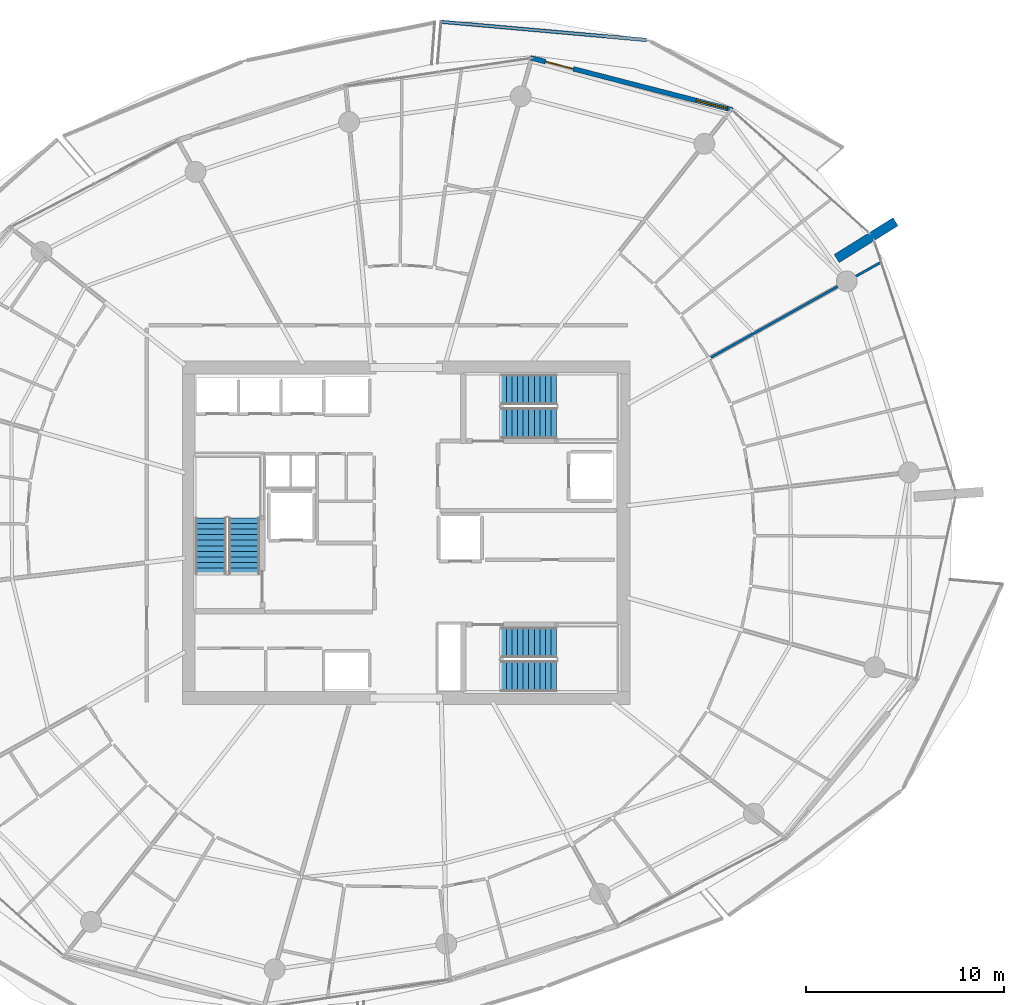
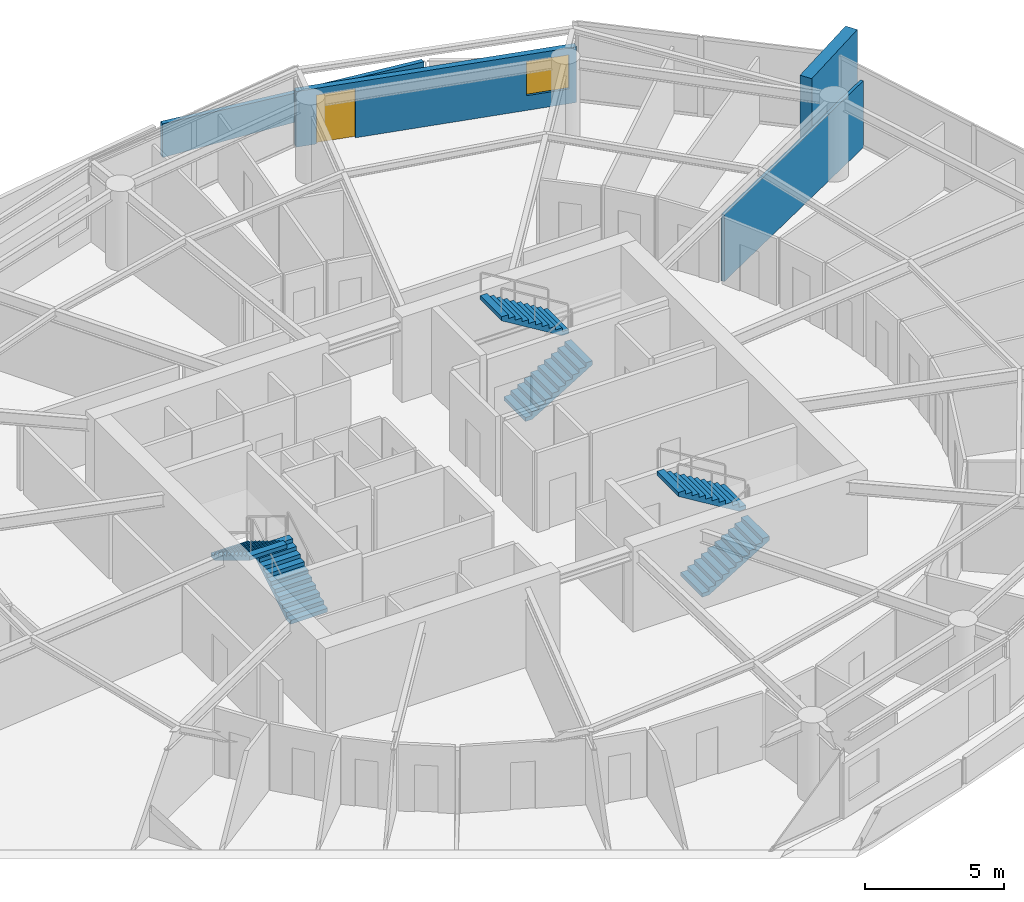
# One storey, part 16 of 21: 6 stair flights, 4 walls, 1 door, 1 window, 2 openings, 3 elements without a shape of their own.
"""IFC4 building model written with IfcOpenShell, lengths in metres."""

from ifc_helpers import new_model, si_unit, direction, frame, frame_2d, origin, place, context, subcontext, project, spatial, polyline, rectangle, outline, extrude, material, layer, layer_set, type_object, element, fill, aggregate, save


model = new_model("IFC4")

# Units and contexts
model_context = context("Model", 3, precision=1e-05, world=origin(), true_north=direction((0.0, 1.0)))
body_context = subcontext(model_context, "Body", "Model", "MODEL_VIEW")
ifc_project = project(units=[si_unit("LENGTHUNIT", "METRE"), si_unit("AREAUNIT", "SQUARE_METRE"), si_unit("VOLUMEUNIT", "CUBIC_METRE"), si_unit("PLANEANGLEUNIT", "RADIAN"), si_unit("MASSUNIT", "GRAM", prefix="KILO")], contexts=[model_context])

# Site, building, storey
site_placement = place(None, origin())
site = spatial("IfcSite", under=ifc_project, at=site_placement, CompositionType="ELEMENT")
building_placement = place(site_placement, origin())
building = spatial("IfcBuilding", under=site, at=building_placement, Name="Kazma Halo Residences", CompositionType="ELEMENT")
storey_placement = place(building_placement, frame((0.0, 0.0, 180.300048828125)))
storey = spatial("IfcBuildingStorey", under=building, at=storey_placement, Name="L45", CompositionType="ELEMENT", Elevation=180.300048828125)

# Walls
ifc_material_1 = material(Name="White Concrete C50/60 Balustrade", Category="concrete")
ifc_layer_1 = layer(ifc_material_1, 0.179931640625)
ifc_layer_set_1 = layer_set([ifc_layer_1], Name="White Concrete C50/60 Balustrade")
wall_type_1 = type_object("IfcWallType", Name="WL-BAL-WAVE-180", PredefinedType="PARAPET", material=ifc_layer_set_1)
wall_1_placement = place(storey_placement, frame((60.528564453125, 66.833984375, 0.0), z_axis=(0.0, 0.0, 1.0), x_axis=(-0.996118216942, 0.088025552404, 0.0)))
element("IfcWall", 1, at=wall_1_placement, inside=storey, type_object=wall_type_1, Name="L45 white wave balustrade wall NE.2", PredefinedType="PARAPET", context=body_context, shape_type="SweptSolid", body=[
    extrude(outline(polyline([(0.0, 0.0), (10.384033203125, 0.0), (10.384033203125, 1.48291015625), (5.192138671875, 1.283935546875), (0.0, 1.14794921875), (0.0, 0.0)])), frame((0.0, 0.08984375, 0.0), z_axis=(0.0, -1.0, 0.0), x_axis=(1.0, 0.0, 0.0)), (0.0, 0.0, 1.0), 0.179931640625),
])
ifc_material_2 = material(Name="Pale Concrete C60/75", Category="concrete")
ifc_layer_2 = layer(ifc_material_2, 0.47998046875)
ifc_layer_set_2 = layer_set([ifc_layer_2], Name="Pale Concrete C60/75")
wall_type_2 = type_object("IfcWallType", Name="WL-BLADE-480", PredefinedType="SOLIDWALL", material=ifc_layer_set_2)
wall_2_placement = place(storey_placement, frame((70.11376953125, 55.818115234375, 0.0), z_axis=(0.0, 0.0, 1.0), x_axis=(0.848033572426, 0.529942506352, 0.0)))
element("IfcWall", 2, at=wall_2_placement, inside=storey, type_object=wall_type_2, Name="L45 pale concrete structural blade fin wall BW-01", PredefinedType="SOLIDWALL", context=body_context, shape_type="SweptSolid", body=[
    extrude(rectangle(XDim=3.5, YDim=0.47998046875, at=frame_2d((1.75, 0.0))), origin(), (0.0, 0.0, 1.0), 3.75),
])

# Wall, openings, door, window
ifc_material_3 = material(Name="Insulated Pale-Metal Composite Wall")
ifc_layer_3 = layer(ifc_material_3, 0.239990234375)
ifc_layer_set_3 = layer_set([ifc_layer_3], Name="Insulated Pale-Metal Composite Wall")
wall_type_3 = type_object("IfcWallType", Name="WL-EXT-HOST-240", PredefinedType="SOLIDWALL", material=ifc_layer_set_3)
wall_3_placement = place(storey_placement, frame((64.860107421875, 63.31298828125, 0.0), z_axis=(0.0, 0.0, 1.0), x_axis=(-0.968374028006, 0.249502989727, 0.0)))
wall_3 = element("IfcWall", 3, at=wall_3_placement, inside=storey, type_object=wall_type_3, Name="L45 exterior terrace-access wall B02", PredefinedType="SOLIDWALL", context=body_context, shape_type="SweptSolid", body=[
    extrude(rectangle(XDim=10.494384765625, YDim=0.239990234375, at=frame_2d((5.2470703125, 0.0))), origin(), (0.0, 0.0, 1.0), 2.449951171875),
])
opening_1_placement = place(wall_3_placement, frame((8.2744140625, 0.0, 0.0)))
opening_1 = element("IfcOpeningElement", 4, at=opening_1_placement, cuts=wall_3, Name="Opening DTR-1600", PredefinedType="OPENING", context=body_context, shape_type="SweptSolid", body=[
    extrude(rectangle(XDim=1.449951171875, YDim=2.14990234375, at=frame_2d((0.72509765625, 1.074951171875))), frame((0.0, 0.1298828125, 0.0), z_axis=(0.0, -1.0, 0.0), x_axis=(1.0, 0.0, 0.0)), (0.0, 0.0, 1.0), 0.260009765625),
])
opening_2_placement = place(wall_3_placement, frame((0.280029296875, 0.0, 0.64990234375)))
opening_2 = element("IfcOpeningElement", 5, at=opening_2_placement, cuts=wall_3, Name="Opening W-1800", PredefinedType="OPENING", context=body_context, shape_type="SweptSolid", body=[
    extrude(rectangle(XDim=1.60009765625, YDim=1.5, at=frame_2d((0.800048828125, 0.75))), frame((0.0, 0.1298828125, 0.0), z_axis=(0.0, -1.0, 0.0), x_axis=(1.0, 0.0, 0.0)), (0.0, 0.0, 1.0), 0.260009765625),
])
ifc_material_4 = material(Name="Aluminium AW-6063 T6 Double-Glazed Terrace Door", Category="aluminium")
door_type = type_object("IfcDoorType", Name="DR-EXT-TERR-1600", OperationType="NOTDEFINED", PredefinedType="DOOR", material=ifc_material_4)
door_placement = place(opening_1_placement, origin())
door = element("IfcDoor", 6, at=door_placement, inside=storey, type_object=door_type, Name="L45 B02 balcony terrace door", OperationType="DOUBLE_DOOR_SLIDING", OverallHeight=2.14990234375, OverallWidth=1.449951171875, PredefinedType="DOOR", context=body_context, shape_type="SweptSolid", body=[
    extrude(rectangle(XDim=1.449951171875, YDim=2.14990234375, at=frame_2d((0.72509765625, 1.074951171875))), frame((0.0, 0.02490234375, 0.0), z_axis=(0.0, -1.0, 0.0), x_axis=(1.0, 0.0, 0.0)), (0.0, 0.0, 1.0), 0.050048828125),
])
fill(opening_1, door)
ifc_material_5 = material(Name="Clear Triple-Silver Low-E Glass in Aluminium AW-6063 T6 Frame", Category="aluminium")
window_type = type_object("IfcWindowType", Name="WIN-RES-1800", PartitioningType="DOUBLE_PANEL_VERTICAL", PredefinedType="WINDOW", material=ifc_material_5)
window_placement = place(opening_2_placement, origin())
window = element("IfcWindow", 7, at=window_placement, inside=storey, type_object=window_type, Name="L45 B02 apartment window", OverallHeight=1.5, OverallWidth=1.60009765625, PartitioningType="SINGLE_PANEL", PredefinedType="WINDOW", context=body_context, shape_type="SweptSolid", body=[
    extrude(rectangle(XDim=1.60009765625, YDim=1.5, at=frame_2d((0.800048828125, 0.75))), frame((0.0, 0.030029296875, 0.0), z_axis=(0.0, -1.0, 0.0), x_axis=(1.0, 0.0, 0.0)), (0.0, 0.0, 1.0), 0.06005859375),
])
fill(opening_2, window)

# Wall
ifc_material_6 = material(Name="Gypsum Plasterboard Partition")
ifc_layer_4 = layer(ifc_material_6, 0.125)
ifc_layer_set_4 = layer_set([ifc_layer_4], Name="Gypsum Plasterboard Partition")
wall_type_4 = type_object("IfcWallType", Name="WL-PART-125", PredefinedType="PARTITIONING", material=ifc_layer_set_4)
wall_4_placement = place(storey_placement, frame((63.78076171875, 50.837646484375, 0.0), z_axis=(0.0, 0.0, 1.0), x_axis=(0.87249667769, 0.488620044022, 0.0)))
element("IfcWall", 8, at=wall_4_placement, inside=storey, type_object=wall_type_4, Name="L45 Apartment 4 radial partition 0", PredefinedType="PARTITIONING", context=body_context, shape_type="SweptSolid", body=[
    extrude(rectangle(XDim=9.80810546875, YDim=0.125, at=frame_2d((4.904052734375, 0.0))), origin(), (0.0, 0.0, 1.0), 2.93994140625),
])

# Stair, stair flights
ifc_material_7 = material(Name="Concrete C50/60", Category="concrete")
stair_type = type_object("IfcStairType", Name="STR-RES1", PredefinedType="HALF_TURN_STAIR", material=ifc_material_7)
stair_1_placement = place(storey_placement, origin())
stair_1 = element("IfcStair", 9, at=stair_1_placement, inside=storey, type_object=stair_type, Name="L45 Core exit stair ST-01", PredefinedType="HALF_TURN_STAIR")
stair_flight_type = type_object("IfcStairFlightType", Name="STR-RES1-FLT", PredefinedType="STRAIGHT", material=ifc_material_7)
stair_flight_1_placement = place(storey_placement, frame((40.27490234375, 39.949951171875, 0.0), z_axis=(0.0, 0.0, 1.0), x_axis=(0.0, 1.0, 0.0)))
stair_flight_1 = element("IfcStairFlight", 10, at=stair_flight_1_placement, type_object=stair_flight_type, Name="ST-01 flight 1", NumberOfRisers=11, NumberOfTreads=10, PredefinedType="STRAIGHT", RiserHeight=0.170454545, TreadLength=0.28, context=body_context, shape_type="SweptSolid", body=[
    extrude(outline(polyline([(0.0, 0.0), (0.0, 0.17041015625), (0.280029296875, 0.17041015625), (0.280029296875, 0.3408203125), (0.56005859375, 0.3408203125), (0.56005859375, 0.511474609375), (0.840087890625, 0.511474609375), (0.840087890625, 0.681884765625), (1.1201171875, 0.681884765625), (1.1201171875, 0.852294921875), (1.39990234375, 0.852294921875), (1.39990234375, 1.022705078125), (1.679931640625, 1.022705078125), (1.679931640625, 1.193115234375), (1.9599609375, 1.193115234375), (1.9599609375, 1.363525390625), (2.239990234375, 1.363525390625), (2.239990234375, 1.5341796875), (2.52001953125, 1.5341796875), (2.52001953125, 1.70458984375), (2.800048828125, 1.70458984375), (2.800048828125, 1.875), (2.800048828125, 1.529052734375), (0.288330078125, 0.0), (0.0, 0.0)])), frame((0.0, 0.77490234375, 0.0), z_axis=(0.0, -1.0, 0.0), x_axis=(1.0, 0.0, 0.0)), (0.0, 0.0, 1.0), 1.550048828125),
])
stair_flight_2_placement = place(storey_placement, frame((38.574951171875, 42.75, 1.875), z_axis=(0.0, 0.0, 1.0), x_axis=(0.0, -1.0, 0.0)))
stair_flight_2 = element("IfcStairFlight", 11, at=stair_flight_2_placement, type_object=stair_flight_type, Name="ST-01 flight 2", NumberOfRisers=11, NumberOfTreads=10, PredefinedType="STRAIGHT", RiserHeight=0.170454545, TreadLength=0.28, context=body_context, shape_type="SweptSolid", body=[
    extrude(outline(polyline([(0.0, 0.0), (0.0, 0.17041015625), (0.280029296875, 0.17041015625), (0.280029296875, 0.3408203125), (0.56005859375, 0.3408203125), (0.56005859375, 0.511474609375), (0.840087890625, 0.511474609375), (0.840087890625, 0.681884765625), (1.1201171875, 0.681884765625), (1.1201171875, 0.852294921875), (1.39990234375, 0.852294921875), (1.39990234375, 1.022705078125), (1.679931640625, 1.022705078125), (1.679931640625, 1.193115234375), (1.9599609375, 1.193115234375), (1.9599609375, 1.363525390625), (2.239990234375, 1.363525390625), (2.239990234375, 1.5341796875), (2.52001953125, 1.5341796875), (2.52001953125, 1.70458984375), (2.800048828125, 1.70458984375), (2.800048828125, 1.875), (2.800048828125, 1.529052734375), (0.288330078125, 0.0), (0.0, 0.0)])), frame((0.0, 0.77490234375, 0.0), z_axis=(0.0, -1.0, 0.0), x_axis=(1.0, 0.0, 0.0)), (0.0, 0.0, 1.0), 1.550048828125),
])
aggregate(stair_1, [stair_flight_1, stair_flight_2])

stair_2_placement = place(storey_placement, origin())
stair_2 = element("IfcStair", 12, at=stair_2_placement, inside=storey, type_object=stair_type, Name="L45 Core exit stair ST-02", PredefinedType="HALF_TURN_STAIR")
stair_flight_3_placement = place(storey_placement, frame((53.199951171875, 47.52490234375, 0.0), z_axis=(0.0, 0.0, 1.0), x_axis=(1.0, 0.0, 0.0)))
stair_flight_3 = element("IfcStairFlight", 13, at=stair_flight_3_placement, type_object=stair_flight_type, Name="ST-02 flight 1", NumberOfRisers=11, NumberOfTreads=10, PredefinedType="STRAIGHT", RiserHeight=0.170454545, TreadLength=0.28, context=body_context, shape_type="SweptSolid", body=[
    extrude(outline(polyline([(0.0, 0.0), (0.0, 0.17041015625), (0.280029296875, 0.17041015625), (0.280029296875, 0.3408203125), (0.56005859375, 0.3408203125), (0.56005859375, 0.511474609375), (0.840087890625, 0.511474609375), (0.840087890625, 0.681884765625), (1.1201171875, 0.681884765625), (1.1201171875, 0.852294921875), (1.39990234375, 0.852294921875), (1.39990234375, 1.022705078125), (1.679931640625, 1.022705078125), (1.679931640625, 1.193115234375), (1.9599609375, 1.193115234375), (1.9599609375, 1.363525390625), (2.239990234375, 1.363525390625), (2.239990234375, 1.5341796875), (2.52001953125, 1.5341796875), (2.52001953125, 1.70458984375), (2.800048828125, 1.70458984375), (2.800048828125, 1.875), (2.800048828125, 1.529052734375), (0.288330078125, 0.0), (0.0, 0.0)])), frame((0.0, 0.77490234375, 0.0), z_axis=(0.0, -1.0, 0.0), x_axis=(1.0, 0.0, 0.0)), (0.0, 0.0, 1.0), 1.550048828125),
])
stair_flight_4_placement = place(storey_placement, frame((56.0, 49.22509765625, 1.875), z_axis=(0.0, 0.0, 1.0), x_axis=(-1.0, 0.0, 0.0)))
stair_flight_4 = element("IfcStairFlight", 14, at=stair_flight_4_placement, type_object=stair_flight_type, Name="ST-02 flight 2", NumberOfRisers=11, NumberOfTreads=10, PredefinedType="STRAIGHT", RiserHeight=0.170454545, TreadLength=0.28, context=body_context, shape_type="SweptSolid", body=[
    extrude(outline(polyline([(0.0, 0.0), (0.0, 0.17041015625), (0.280029296875, 0.17041015625), (0.280029296875, 0.3408203125), (0.56005859375, 0.3408203125), (0.56005859375, 0.511474609375), (0.840087890625, 0.511474609375), (0.840087890625, 0.681884765625), (1.1201171875, 0.681884765625), (1.1201171875, 0.852294921875), (1.39990234375, 0.852294921875), (1.39990234375, 1.022705078125), (1.679931640625, 1.022705078125), (1.679931640625, 1.193115234375), (1.9599609375, 1.193115234375), (1.9599609375, 1.363525390625), (2.239990234375, 1.363525390625), (2.239990234375, 1.5341796875), (2.52001953125, 1.5341796875), (2.52001953125, 1.70458984375), (2.800048828125, 1.70458984375), (2.800048828125, 1.875), (2.800048828125, 1.529052734375), (0.288330078125, 0.0), (0.0, 0.0)])), frame((0.0, 0.77490234375, 0.0), z_axis=(0.0, -1.0, 0.0), x_axis=(1.0, 0.0, 0.0)), (0.0, 0.0, 1.0), 1.550048828125),
])
aggregate(stair_2, [stair_flight_3, stair_flight_4])

stair_3_placement = place(storey_placement, origin())
stair_3 = element("IfcStair", 15, at=stair_3_placement, inside=storey, type_object=stair_type, Name="L45 Core exit stair ST-03", PredefinedType="HALF_TURN_STAIR")
stair_flight_5_placement = place(storey_placement, frame((53.199951171875, 34.77490234375, 0.0), z_axis=(0.0, 0.0, 1.0), x_axis=(1.0, 0.0, 0.0)))
stair_flight_5 = element("IfcStairFlight", 16, at=stair_flight_5_placement, type_object=stair_flight_type, Name="ST-03 flight 1", NumberOfRisers=11, NumberOfTreads=10, PredefinedType="STRAIGHT", RiserHeight=0.170454545, TreadLength=0.28, context=body_context, shape_type="SweptSolid", body=[
    extrude(outline(polyline([(0.0, 0.0), (0.0, 0.17041015625), (0.280029296875, 0.17041015625), (0.280029296875, 0.3408203125), (0.56005859375, 0.3408203125), (0.56005859375, 0.511474609375), (0.840087890625, 0.511474609375), (0.840087890625, 0.681884765625), (1.1201171875, 0.681884765625), (1.1201171875, 0.852294921875), (1.39990234375, 0.852294921875), (1.39990234375, 1.022705078125), (1.679931640625, 1.022705078125), (1.679931640625, 1.193115234375), (1.9599609375, 1.193115234375), (1.9599609375, 1.363525390625), (2.239990234375, 1.363525390625), (2.239990234375, 1.5341796875), (2.52001953125, 1.5341796875), (2.52001953125, 1.70458984375), (2.800048828125, 1.70458984375), (2.800048828125, 1.875), (2.800048828125, 1.529052734375), (0.288330078125, 0.0), (0.0, 0.0)])), frame((0.0, 0.77490234375, 0.0), z_axis=(0.0, -1.0, 0.0), x_axis=(1.0, 0.0, 0.0)), (0.0, 0.0, 1.0), 1.550048828125),
])
stair_flight_6_placement = place(storey_placement, frame((56.0, 36.47509765625, 1.875), z_axis=(0.0, 0.0, 1.0), x_axis=(-1.0, 0.0, 0.0)))
stair_flight_6 = element("IfcStairFlight", 17, at=stair_flight_6_placement, type_object=stair_flight_type, Name="ST-03 flight 2", NumberOfRisers=11, NumberOfTreads=10, PredefinedType="STRAIGHT", RiserHeight=0.170454545, TreadLength=0.28, context=body_context, shape_type="SweptSolid", body=[
    extrude(outline(polyline([(0.0, 0.0), (0.0, 0.17041015625), (0.280029296875, 0.17041015625), (0.280029296875, 0.3408203125), (0.56005859375, 0.3408203125), (0.56005859375, 0.511474609375), (0.840087890625, 0.511474609375), (0.840087890625, 0.681884765625), (1.1201171875, 0.681884765625), (1.1201171875, 0.852294921875), (1.39990234375, 0.852294921875), (1.39990234375, 1.022705078125), (1.679931640625, 1.022705078125), (1.679931640625, 1.193115234375), (1.9599609375, 1.193115234375), (1.9599609375, 1.363525390625), (2.239990234375, 1.363525390625), (2.239990234375, 1.5341796875), (2.52001953125, 1.5341796875), (2.52001953125, 1.70458984375), (2.800048828125, 1.70458984375), (2.800048828125, 1.875), (2.800048828125, 1.529052734375), (0.288330078125, 0.0), (0.0, 0.0)])), frame((0.0, 0.77490234375, 0.0), z_axis=(0.0, -1.0, 0.0), x_axis=(1.0, 0.0, 0.0)), (0.0, 0.0, 1.0), 1.550048828125),
])
aggregate(stair_3, [stair_flight_5, stair_flight_6])

save(model, "model.ifc")
